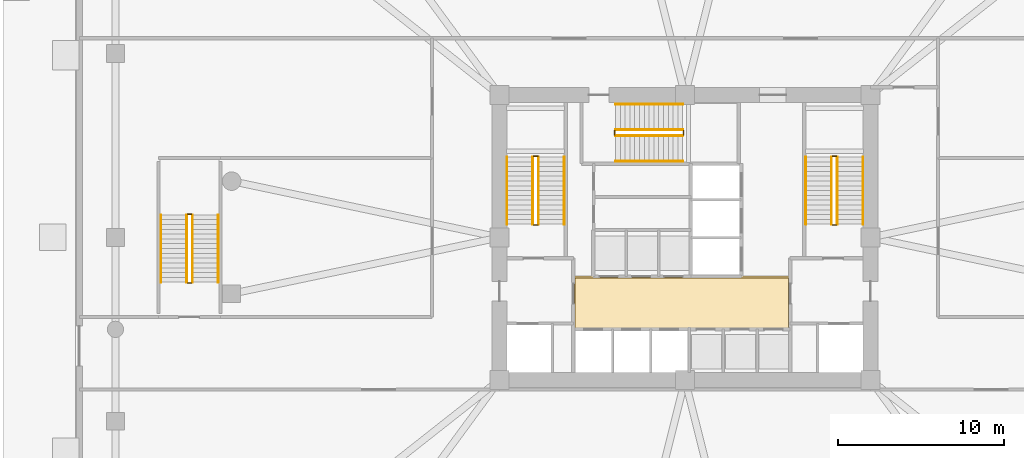
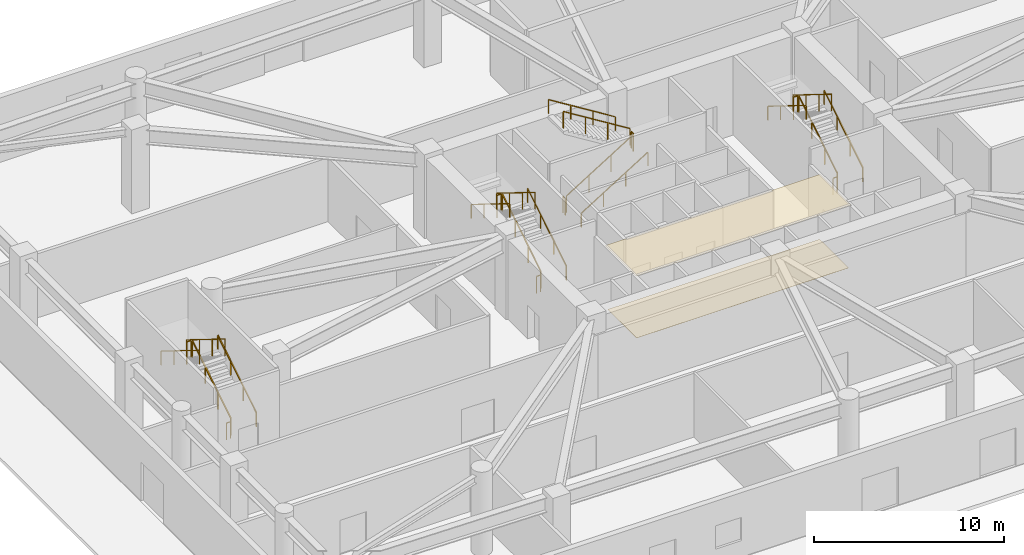
# One storey, part 7 of 9: 24 railings, 2 coverings.
"""IFC4 building model written with IfcOpenShell, lengths in metres."""

from ifc_helpers import new_model, si_unit, derived_unit, direction, frame, origin, origin_2d, place, context, subcontext, project, spatial, polyline, rectangle, outline, extrude, material, layer, layer_set, type_object, element, save


model = new_model("IFC4")

# Units and contexts
model_context = context("Model", 3, precision=1e-05, world=origin(), true_north=direction((0.0, 1.0)))
body_context = subcontext(model_context, "Body", "Model", "MODEL_VIEW")
ifc_project = project(units=[si_unit("LENGTHUNIT", "METRE"), si_unit("AREAUNIT", "SQUARE_METRE"), si_unit("VOLUMEUNIT", "CUBIC_METRE"), si_unit("PLANEANGLEUNIT", "RADIAN"), si_unit("MASSUNIT", "GRAM", prefix="KILO"), derived_unit("THERMALTRANSMITTANCEUNIT", [(si_unit("POWERUNIT", "WATT"), 1), (si_unit("LENGTHUNIT", "METRE"), -2), (si_unit("THERMODYNAMICTEMPERATUREUNIT", "KELVIN"), -1)])], contexts=[model_context])

# Site, building, storey
site_placement = place(None, origin())
site = spatial("IfcSite", under=ifc_project, at=site_placement, CompositionType="ELEMENT")
building_placement = place(site_placement, origin())
building = spatial("IfcBuilding", under=site, at=building_placement, Name="Koralith Skygarden Medical Center", CompositionType="ELEMENT")
storey_placement = place(building_placement, origin())
storey = spatial("IfcBuildingStorey", under=building, at=storey_placement, Name="L00", CompositionType="ELEMENT", Elevation=0.0)

# Coverings
ifc_material_1 = material(Name="Acoustic Mineral Tile")
ifc_layer_1 = layer(ifc_material_1, 0.02001953125)
ifc_layer_set_1 = layer_set([ifc_layer_1], Name="Acoustic Mineral Tile")
covering_type_1 = type_object("IfcCoveringType", Name="Acoustic Hygienic Mineral Ceiling 20", PredefinedType="CEILING", material=ifc_layer_set_1)
covering_1_placement = place(storey_placement, frame((0.0, 0.0, 4.0849609375)))
element("IfcCovering", 1, at=covering_1_placement, inside=storey, type_object=covering_type_1, Name="L00 Core Lobby Acoustic Ceiling", PredefinedType="CEILING", context=body_context, shape_type="SweptSolid", body=[
    extrude(outline(polyline([(30.25, 20.320068359375), (43.35009765625, 20.320068359375), (43.35009765625, 23.56005859375), (30.25, 23.56005859375), (30.25, 20.320068359375)])), origin(), (0.0, 0.0, 1.0), 0.02001953125),
])
ifc_material_2 = material(Name="Medical Terrazzo Flooring")
ifc_layer_2 = layer(ifc_material_2, 0.014892578125)
ifc_layer_set_2 = layer_set([ifc_layer_2], Name="Medical Terrazzo Flooring")
covering_type_2 = type_object("IfcCoveringType", Name="Seamless Antimicrobial Terrazzo Flooring 15", PredefinedType="FLOORING", material=ifc_layer_set_2)
covering_2_placement = place(storey_placement, origin())
element("IfcCovering", 2, at=covering_2_placement, inside=storey, type_object=covering_type_2, Name="L00 Core Lobby Terrazzo Flooring", PredefinedType="FLOORING", context=body_context, shape_type="SweptSolid", body=[
    extrude(outline(polyline([(30.35009765625, 20.419921875), (43.25, 20.419921875), (43.25, 23.4599609375), (30.35009765625, 23.4599609375), (30.35009765625, 20.419921875)])), origin(), (0.0, 0.0, 1.0), 0.014892578125),
])

# Railings
ifc_material_3 = material(Name="Steel ASTM A500 Grade C", Category="steel")
railing_type_1 = type_object("IfcRailingType", Name="Stair Flight Tubular Handrail 920", PredefinedType="HANDRAIL", material=ifc_material_3)
railing_1_placement = place(storey_placement, frame((29.699951171875, 26.699951171875, 0.179931640625)))
element("IfcRailing", 3, at=railing_1_placement, inside=storey, type_object=railing_type_1, Name="L00 ST1 stair handrail 1", PredefinedType="HANDRAIL", context=body_context, shape_type="SweptSolid", body=[
    extrude(rectangle(XDim=0.050048828125, YDim=0.050048828125, at=origin_2d()), frame((0.0, 0.001708984375, 0.89599609375), z_axis=(0.0, 0.849641744969, 0.527360318194), x_axis=(-1.0, 0.0, 0.0)), (0.0, 0.0, 1.0), 4.774658203125),
    extrude(rectangle(XDim=0.0419921875, YDim=0.0419921875, at=origin_2d()), origin(), (0.0, 0.0, 1.0), 0.867919921875),
    extrude(rectangle(XDim=0.0419921875, YDim=0.0419921875, at=origin_2d()), frame((0.0, 1.353271484375, 0.840087890625)), (0.0, 0.0, 1.0), 0.867919921875),
    extrude(rectangle(XDim=0.0419921875, YDim=0.0419921875, at=origin_2d()), frame((0.0, 2.706787109375, 1.679931640625)), (0.0, 0.0, 1.0), 0.867919921875),
    extrude(rectangle(XDim=0.0419921875, YDim=0.0419921875, at=origin_2d()), frame((0.0, 4.06005859375, 2.52001953125)), (0.0, 0.0, 1.0), 0.867919921875),
])
railing_2_placement = place(storey_placement, frame((26.25, 30.760009765625, 2.8798828125)))
element("IfcRailing", 4, at=railing_2_placement, inside=storey, type_object=railing_type_1, Name="L00 ST1 stair handrail 2", PredefinedType="HANDRAIL", context=body_context, shape_type="SweptSolid", body=[
    extrude(rectangle(XDim=0.050048828125, YDim=0.050048828125, at=origin_2d()), frame((0.0, -0.001708984375, 0.89599609375), z_axis=(0.0, -0.849641744969, 0.527360318194), x_axis=(1.0, 0.0, 0.0)), (0.0, 0.0, 1.0), 4.774658203125),
    extrude(rectangle(XDim=0.0419921875, YDim=0.0419921875, at=origin_2d()), origin(), (0.0, 0.0, 1.0), 0.867919921875),
    extrude(rectangle(XDim=0.0419921875, YDim=0.0419921875, at=origin_2d()), frame((0.0, -1.353271484375, 0.840087890625)), (0.0, 0.0, 1.0), 0.867919921875),
    extrude(rectangle(XDim=0.0419921875, YDim=0.0419921875, at=origin_2d()), frame((0.0, -2.706787109375, 1.679931640625)), (0.0, 0.0, 1.0), 0.867919921875),
    extrude(rectangle(XDim=0.0419921875, YDim=0.0419921875, at=origin_2d()), frame((0.0, -4.06005859375, 2.52001953125)), (0.0, 0.0, 1.0), 0.867919921875),
])
railing_3_placement = place(storey_placement, frame((47.75, 26.699951171875, 0.179931640625)))
element("IfcRailing", 5, at=railing_3_placement, inside=storey, type_object=railing_type_1, Name="L00 ST2 stair handrail 1", PredefinedType="HANDRAIL", context=body_context, shape_type="SweptSolid", body=[
    extrude(rectangle(XDim=0.050048828125, YDim=0.050048828125, at=origin_2d()), frame((0.0, 0.001708984375, 0.89599609375), z_axis=(0.0, 0.849641744969, 0.527360318194), x_axis=(-1.0, 0.0, 0.0)), (0.0, 0.0, 1.0), 4.774658203125),
    extrude(rectangle(XDim=0.0419921875, YDim=0.0419921875, at=origin_2d()), origin(), (0.0, 0.0, 1.0), 0.867919921875),
    extrude(rectangle(XDim=0.0419921875, YDim=0.0419921875, at=origin_2d()), frame((0.0, 1.353271484375, 0.840087890625)), (0.0, 0.0, 1.0), 0.867919921875),
    extrude(rectangle(XDim=0.0419921875, YDim=0.0419921875, at=origin_2d()), frame((0.0, 2.706787109375, 1.679931640625)), (0.0, 0.0, 1.0), 0.867919921875),
    extrude(rectangle(XDim=0.0419921875, YDim=0.0419921875, at=origin_2d()), frame((0.0, 4.06005859375, 2.52001953125)), (0.0, 0.0, 1.0), 0.867919921875),
])
railing_4_placement = place(storey_placement, frame((44.300048828125, 30.760009765625, 2.8798828125)))
element("IfcRailing", 6, at=railing_4_placement, inside=storey, type_object=railing_type_1, Name="L00 ST2 stair handrail 2", PredefinedType="HANDRAIL", context=body_context, shape_type="SweptSolid", body=[
    extrude(rectangle(XDim=0.050048828125, YDim=0.050048828125, at=origin_2d()), frame((0.0, -0.001708984375, 0.89599609375), z_axis=(0.0, -0.849641744969, 0.527360318194), x_axis=(1.0, 0.0, 0.0)), (0.0, 0.0, 1.0), 4.774658203125),
    extrude(rectangle(XDim=0.0419921875, YDim=0.0419921875, at=origin_2d()), origin(), (0.0, 0.0, 1.0), 0.867919921875),
    extrude(rectangle(XDim=0.0419921875, YDim=0.0419921875, at=origin_2d()), frame((0.0, -1.353271484375, 0.840087890625)), (0.0, 0.0, 1.0), 0.867919921875),
    extrude(rectangle(XDim=0.0419921875, YDim=0.0419921875, at=origin_2d()), frame((0.0, -2.706787109375, 1.679931640625)), (0.0, 0.0, 1.0), 0.867919921875),
    extrude(rectangle(XDim=0.0419921875, YDim=0.0419921875, at=origin_2d()), frame((0.0, -4.06005859375, 2.52001953125)), (0.0, 0.0, 1.0), 0.867919921875),
])
railing_5_placement = place(storey_placement, frame((32.800048828125, 30.5, 0.179931640625)))
element("IfcRailing", 7, at=railing_5_placement, inside=storey, type_object=railing_type_1, Name="L00 ST3 stair handrail 1", PredefinedType="HANDRAIL", context=body_context, shape_type="SweptSolid", body=[
    extrude(rectangle(XDim=0.050048828125, YDim=0.050048828125, at=origin_2d()), frame((0.001708984375, 0.0, 0.89599609375), z_axis=(0.849641744969, 0.0, 0.527360318194), x_axis=(0.0, 1.0, 0.0)), (0.0, 0.0, 1.0), 4.774658203125),
    extrude(rectangle(XDim=0.0419921875, YDim=0.0419921875, at=origin_2d()), origin(), (0.0, 0.0, 1.0), 0.867919921875),
    extrude(rectangle(XDim=0.0419921875, YDim=0.0419921875, at=origin_2d()), frame((1.353271484375, 0.0, 0.840087890625)), (0.0, 0.0, 1.0), 0.867919921875),
    extrude(rectangle(XDim=0.0419921875, YDim=0.0419921875, at=origin_2d()), frame((2.706787109375, 0.0, 1.679931640625)), (0.0, 0.0, 1.0), 0.867919921875),
    extrude(rectangle(XDim=0.0419921875, YDim=0.0419921875, at=origin_2d()), frame((4.06005859375, 0.0, 2.52001953125)), (0.0, 0.0, 1.0), 0.867919921875),
])
railing_6_placement = place(storey_placement, frame((36.860107421875, 33.949951171875, 2.8798828125)))
element("IfcRailing", 8, at=railing_6_placement, inside=storey, type_object=railing_type_1, Name="L00 ST3 stair handrail 2", PredefinedType="HANDRAIL", context=body_context, shape_type="SweptSolid", body=[
    extrude(rectangle(XDim=0.050048828125, YDim=0.050048828125, at=origin_2d()), frame((-0.001708984375, 0.0, 0.89599609375), z_axis=(-0.849641744969, 0.0, 0.527360318194), x_axis=(0.0, -1.0, 0.0)), (0.0, 0.0, 1.0), 4.774658203125),
    extrude(rectangle(XDim=0.0419921875, YDim=0.0419921875, at=origin_2d()), origin(), (0.0, 0.0, 1.0), 0.867919921875),
    extrude(rectangle(XDim=0.0419921875, YDim=0.0419921875, at=origin_2d()), frame((-1.353271484375, 0.0, 0.840087890625)), (0.0, 0.0, 1.0), 0.867919921875),
    extrude(rectangle(XDim=0.0419921875, YDim=0.0419921875, at=origin_2d()), frame((-2.706787109375, 0.0, 1.679931640625)), (0.0, 0.0, 1.0), 0.867919921875),
    extrude(rectangle(XDim=0.0419921875, YDim=0.0419921875, at=origin_2d()), frame((-4.06005859375, 0.0, 2.52001953125)), (0.0, 0.0, 1.0), 0.867919921875),
])
railing_7_placement = place(storey_placement, frame((8.800048828125, 23.199951171875, 0.179931640625)))
element("IfcRailing", 9, at=railing_7_placement, inside=storey, type_object=railing_type_1, Name="L00 ST4 stair handrail 1", PredefinedType="HANDRAIL", context=body_context, shape_type="SweptSolid", body=[
    extrude(rectangle(XDim=0.050048828125, YDim=0.050048828125, at=origin_2d()), frame((0.0, 0.001708984375, 0.89599609375), z_axis=(0.0, 0.849641744969, 0.527360318194), x_axis=(-1.0, 0.0, 0.0)), (0.0, 0.0, 1.0), 4.774658203125),
    extrude(rectangle(XDim=0.0419921875, YDim=0.0419921875, at=origin_2d()), origin(), (0.0, 0.0, 1.0), 0.867919921875),
    extrude(rectangle(XDim=0.0419921875, YDim=0.0419921875, at=origin_2d()), frame((0.0, 1.353271484375, 0.840087890625)), (0.0, 0.0, 1.0), 0.867919921875),
    extrude(rectangle(XDim=0.0419921875, YDim=0.0419921875, at=origin_2d()), frame((0.0, 2.706787109375, 1.679931640625)), (0.0, 0.0, 1.0), 0.867919921875),
    extrude(rectangle(XDim=0.0419921875, YDim=0.0419921875, at=origin_2d()), frame((0.0, 4.06005859375, 2.52001953125)), (0.0, 0.0, 1.0), 0.867919921875),
])
railing_8_placement = place(storey_placement, frame((5.35009765625, 27.260009765625, 2.8798828125)))
element("IfcRailing", 10, at=railing_8_placement, inside=storey, type_object=railing_type_1, Name="L00 ST4 stair handrail 2", PredefinedType="HANDRAIL", context=body_context, shape_type="SweptSolid", body=[
    extrude(rectangle(XDim=0.050048828125, YDim=0.050048828125, at=origin_2d()), frame((0.0, -0.001708984375, 0.89599609375), z_axis=(0.0, -0.849641744969, 0.527360318194), x_axis=(1.0, 0.0, 0.0)), (0.0, 0.0, 1.0), 4.774658203125),
    extrude(rectangle(XDim=0.0419921875, YDim=0.0419921875, at=origin_2d()), origin(), (0.0, 0.0, 1.0), 0.867919921875),
    extrude(rectangle(XDim=0.0419921875, YDim=0.0419921875, at=origin_2d()), frame((0.0, -1.353271484375, 0.840087890625)), (0.0, 0.0, 1.0), 0.867919921875),
    extrude(rectangle(XDim=0.0419921875, YDim=0.0419921875, at=origin_2d()), frame((0.0, -2.706787109375, 1.679931640625)), (0.0, 0.0, 1.0), 0.867919921875),
    extrude(rectangle(XDim=0.0419921875, YDim=0.0419921875, at=origin_2d()), frame((0.0, -4.06005859375, 2.52001953125)), (0.0, 0.0, 1.0), 0.867919921875),
])
railing_type_2 = type_object("IfcRailingType", Name="Stair Well Safety Guardrail 1100", PredefinedType="GUARDRAIL", material=ifc_material_3)
railing_9_placement = place(storey_placement, frame((28.14990234375, 26.699951171875, 0.179931640625)))
element("IfcRailing", 11, at=railing_9_placement, inside=storey, type_object=railing_type_2, Name="L00 ST1 stair guard 1", PredefinedType="GUARDRAIL", context=body_context, shape_type="SweptSolid", body=[
    extrude(rectangle(XDim=0.050048828125, YDim=0.050048828125, at=origin_2d()), frame((0.0, 0.001708984375, 1.076171875), z_axis=(0.0, 0.849641744969, 0.527360318194), x_axis=(-1.0, 0.0, 0.0)), (0.0, 0.0, 1.0), 4.774658203125),
    extrude(rectangle(XDim=0.0419921875, YDim=0.0419921875, at=origin_2d()), origin(), (0.0, 0.0, 1.0), 1.048095703125),
    extrude(rectangle(XDim=0.0419921875, YDim=0.0419921875, at=origin_2d()), frame((0.0, 1.353271484375, 0.840087890625)), (0.0, 0.0, 1.0), 1.048095703125),
    extrude(rectangle(XDim=0.0419921875, YDim=0.0419921875, at=origin_2d()), frame((0.0, 2.706787109375, 1.679931640625)), (0.0, 0.0, 1.0), 1.048095703125),
    extrude(rectangle(XDim=0.0419921875, YDim=0.0419921875, at=origin_2d()), frame((0.0, 4.06005859375, 2.52001953125)), (0.0, 0.0, 1.0), 1.048095703125),
])
railing_10_placement = place(storey_placement, frame((28.10009765625, 30.81005859375, 2.699951171875)))
element("IfcRailing", 12, at=railing_10_placement, inside=storey, type_object=railing_type_2, Name="L00 ST1 stair guard 2", PredefinedType="GUARDRAIL", context=body_context, shape_type="SweptSolid", body=[
    extrude(rectangle(XDim=0.050048828125, YDim=0.050048828125, at=origin_2d()), frame((-0.001953125, 0.0, 1.0751953125), z_axis=(-1.0, 0.0, 0.0), x_axis=(0.0, -1.0, 0.0)), (0.0, 0.0, 1.0), 0.24609375),
    extrude(rectangle(XDim=0.0419921875, YDim=0.0419921875, at=origin_2d()), origin(), (0.0, 0.0, 1.0), 1.048095703125),
    extrude(rectangle(XDim=0.0419921875, YDim=0.0419921875, at=origin_2d()), frame((-0.25, 0.0, 0.0)), (0.0, 0.0, 1.0), 1.048095703125),
])
railing_11_placement = place(storey_placement, frame((27.800048828125, 30.760009765625, 2.8798828125)))
element("IfcRailing", 13, at=railing_11_placement, inside=storey, type_object=railing_type_2, Name="L00 ST1 stair guard 3", PredefinedType="GUARDRAIL", context=body_context, shape_type="SweptSolid", body=[
    extrude(rectangle(XDim=0.050048828125, YDim=0.050048828125, at=origin_2d()), frame((0.0, -0.001708984375, 1.076171875), z_axis=(0.0, -0.849641744969, 0.527360318194), x_axis=(1.0, 0.0, 0.0)), (0.0, 0.0, 1.0), 4.774658203125),
    extrude(rectangle(XDim=0.0419921875, YDim=0.0419921875, at=origin_2d()), origin(), (0.0, 0.0, 1.0), 1.048095703125),
    extrude(rectangle(XDim=0.0419921875, YDim=0.0419921875, at=origin_2d()), frame((0.0, -1.353271484375, 0.840087890625)), (0.0, 0.0, 1.0), 1.048095703125),
    extrude(rectangle(XDim=0.0419921875, YDim=0.0419921875, at=origin_2d()), frame((0.0, -2.706787109375, 1.679931640625)), (0.0, 0.0, 1.0), 1.048095703125),
    extrude(rectangle(XDim=0.0419921875, YDim=0.0419921875, at=origin_2d()), frame((0.0, -4.06005859375, 2.52001953125)), (0.0, 0.0, 1.0), 1.048095703125),
])
railing_12_placement = place(storey_placement, frame((28.10009765625, 26.64990234375, 0.0)))
element("IfcRailing", 14, at=railing_12_placement, inside=storey, type_object=railing_type_2, Name="L00 ST1 stair guard 4", PredefinedType="GUARDRAIL", context=body_context, shape_type="SweptSolid", body=[
    extrude(rectangle(XDim=0.050048828125, YDim=0.050048828125, at=origin_2d()), frame((-0.001953125, 0.0, 1.0751953125), z_axis=(-1.0, 0.0, 0.0), x_axis=(0.0, -1.0, 0.0)), (0.0, 0.0, 1.0), 0.24609375),
    extrude(rectangle(XDim=0.0419921875, YDim=0.0419921875, at=origin_2d()), origin(), (0.0, 0.0, 1.0), 1.048095703125),
    extrude(rectangle(XDim=0.0419921875, YDim=0.0419921875, at=origin_2d()), frame((-0.25, 0.0, 0.0)), (0.0, 0.0, 1.0), 1.048095703125),
])
railing_13_placement = place(storey_placement, frame((46.199951171875, 26.699951171875, 0.179931640625)))
element("IfcRailing", 15, at=railing_13_placement, inside=storey, type_object=railing_type_2, Name="L00 ST2 stair guard 1", PredefinedType="GUARDRAIL", context=body_context, shape_type="SweptSolid", body=[
    extrude(rectangle(XDim=0.050048828125, YDim=0.050048828125, at=origin_2d()), frame((0.0, 0.001708984375, 1.076171875), z_axis=(0.0, 0.849641744969, 0.527360318194), x_axis=(-1.0, 0.0, 0.0)), (0.0, 0.0, 1.0), 4.774658203125),
    extrude(rectangle(XDim=0.0419921875, YDim=0.0419921875, at=origin_2d()), origin(), (0.0, 0.0, 1.0), 1.048095703125),
    extrude(rectangle(XDim=0.0419921875, YDim=0.0419921875, at=origin_2d()), frame((0.0, 1.353271484375, 0.840087890625)), (0.0, 0.0, 1.0), 1.048095703125),
    extrude(rectangle(XDim=0.0419921875, YDim=0.0419921875, at=origin_2d()), frame((0.0, 2.706787109375, 1.679931640625)), (0.0, 0.0, 1.0), 1.048095703125),
    extrude(rectangle(XDim=0.0419921875, YDim=0.0419921875, at=origin_2d()), frame((0.0, 4.06005859375, 2.52001953125)), (0.0, 0.0, 1.0), 1.048095703125),
])
railing_14_placement = place(storey_placement, frame((46.14990234375, 30.81005859375, 2.699951171875)))
element("IfcRailing", 16, at=railing_14_placement, inside=storey, type_object=railing_type_2, Name="L00 ST2 stair guard 2", PredefinedType="GUARDRAIL", context=body_context, shape_type="SweptSolid", body=[
    extrude(rectangle(XDim=0.050048828125, YDim=0.050048828125, at=origin_2d()), frame((-0.001953125, 0.0, 1.0751953125), z_axis=(-1.0, 0.0, 0.0), x_axis=(0.0, -1.0, 0.0)), (0.0, 0.0, 1.0), 0.24609375),
    extrude(rectangle(XDim=0.0419921875, YDim=0.0419921875, at=origin_2d()), origin(), (0.0, 0.0, 1.0), 1.048095703125),
    extrude(rectangle(XDim=0.0419921875, YDim=0.0419921875, at=origin_2d()), frame((-0.25, 0.0, 0.0)), (0.0, 0.0, 1.0), 1.048095703125),
])
railing_15_placement = place(storey_placement, frame((45.85009765625, 30.760009765625, 2.8798828125)))
element("IfcRailing", 17, at=railing_15_placement, inside=storey, type_object=railing_type_2, Name="L00 ST2 stair guard 3", PredefinedType="GUARDRAIL", context=body_context, shape_type="SweptSolid", body=[
    extrude(rectangle(XDim=0.050048828125, YDim=0.050048828125, at=origin_2d()), frame((0.0, -0.001708984375, 1.076171875), z_axis=(0.0, -0.849641744969, 0.527360318194), x_axis=(1.0, 0.0, 0.0)), (0.0, 0.0, 1.0), 4.774658203125),
    extrude(rectangle(XDim=0.0419921875, YDim=0.0419921875, at=origin_2d()), origin(), (0.0, 0.0, 1.0), 1.048095703125),
    extrude(rectangle(XDim=0.0419921875, YDim=0.0419921875, at=origin_2d()), frame((0.0, -1.353271484375, 0.840087890625)), (0.0, 0.0, 1.0), 1.048095703125),
    extrude(rectangle(XDim=0.0419921875, YDim=0.0419921875, at=origin_2d()), frame((0.0, -2.706787109375, 1.679931640625)), (0.0, 0.0, 1.0), 1.048095703125),
    extrude(rectangle(XDim=0.0419921875, YDim=0.0419921875, at=origin_2d()), frame((0.0, -4.06005859375, 2.52001953125)), (0.0, 0.0, 1.0), 1.048095703125),
])
railing_16_placement = place(storey_placement, frame((46.14990234375, 26.64990234375, 0.0)))
element("IfcRailing", 18, at=railing_16_placement, inside=storey, type_object=railing_type_2, Name="L00 ST2 stair guard 4", PredefinedType="GUARDRAIL", context=body_context, shape_type="SweptSolid", body=[
    extrude(rectangle(XDim=0.050048828125, YDim=0.050048828125, at=origin_2d()), frame((-0.001953125, 0.0, 1.0751953125), z_axis=(-1.0, 0.0, 0.0), x_axis=(0.0, -1.0, 0.0)), (0.0, 0.0, 1.0), 0.24609375),
    extrude(rectangle(XDim=0.0419921875, YDim=0.0419921875, at=origin_2d()), origin(), (0.0, 0.0, 1.0), 1.048095703125),
    extrude(rectangle(XDim=0.0419921875, YDim=0.0419921875, at=origin_2d()), frame((-0.25, 0.0, 0.0)), (0.0, 0.0, 1.0), 1.048095703125),
])
railing_17_placement = place(storey_placement, frame((32.800048828125, 32.050048828125, 0.179931640625)))
element("IfcRailing", 19, at=railing_17_placement, inside=storey, type_object=railing_type_2, Name="L00 ST3 stair guard 1", PredefinedType="GUARDRAIL", context=body_context, shape_type="SweptSolid", body=[
    extrude(rectangle(XDim=0.050048828125, YDim=0.050048828125, at=origin_2d()), frame((0.001708984375, 0.0, 1.076171875), z_axis=(0.849641744969, 0.0, 0.527360318194), x_axis=(0.0, 1.0, 0.0)), (0.0, 0.0, 1.0), 4.774658203125),
    extrude(rectangle(XDim=0.0419921875, YDim=0.0419921875, at=origin_2d()), origin(), (0.0, 0.0, 1.0), 1.048095703125),
    extrude(rectangle(XDim=0.0419921875, YDim=0.0419921875, at=origin_2d()), frame((1.353271484375, 0.0, 0.840087890625)), (0.0, 0.0, 1.0), 1.048095703125),
    extrude(rectangle(XDim=0.0419921875, YDim=0.0419921875, at=origin_2d()), frame((2.706787109375, 0.0, 1.679931640625)), (0.0, 0.0, 1.0), 1.048095703125),
    extrude(rectangle(XDim=0.0419921875, YDim=0.0419921875, at=origin_2d()), frame((4.06005859375, 0.0, 2.52001953125)), (0.0, 0.0, 1.0), 1.048095703125),
])
railing_18_placement = place(storey_placement, frame((36.909912109375, 32.10009765625, 2.699951171875)))
element("IfcRailing", 20, at=railing_18_placement, inside=storey, type_object=railing_type_2, Name="L00 ST3 stair guard 2", PredefinedType="GUARDRAIL", context=body_context, shape_type="SweptSolid", body=[
    extrude(rectangle(XDim=0.050048828125, YDim=0.050048828125, at=origin_2d()), frame((0.0, 0.001953125, 1.0751953125), z_axis=(0.0, 1.0, 0.0), x_axis=(-1.0, 0.0, 0.0)), (0.0, 0.0, 1.0), 0.24609375),
    extrude(rectangle(XDim=0.0419921875, YDim=0.0419921875, at=origin_2d()), origin(), (0.0, 0.0, 1.0), 1.048095703125),
    extrude(rectangle(XDim=0.0419921875, YDim=0.0419921875, at=origin_2d()), frame((0.0, 0.25, 0.0)), (0.0, 0.0, 1.0), 1.048095703125),
])
railing_19_placement = place(storey_placement, frame((36.860107421875, 32.39990234375, 2.8798828125)))
element("IfcRailing", 21, at=railing_19_placement, inside=storey, type_object=railing_type_2, Name="L00 ST3 stair guard 3", PredefinedType="GUARDRAIL", context=body_context, shape_type="SweptSolid", body=[
    extrude(rectangle(XDim=0.050048828125, YDim=0.050048828125, at=origin_2d()), frame((-0.001708984375, 0.0, 1.076171875), z_axis=(-0.849641744969, 0.0, 0.527360318194), x_axis=(0.0, -1.0, 0.0)), (0.0, 0.0, 1.0), 4.774658203125),
    extrude(rectangle(XDim=0.0419921875, YDim=0.0419921875, at=origin_2d()), origin(), (0.0, 0.0, 1.0), 1.048095703125),
    extrude(rectangle(XDim=0.0419921875, YDim=0.0419921875, at=origin_2d()), frame((-1.353271484375, 0.0, 0.840087890625)), (0.0, 0.0, 1.0), 1.048095703125),
    extrude(rectangle(XDim=0.0419921875, YDim=0.0419921875, at=origin_2d()), frame((-2.706787109375, 0.0, 1.679931640625)), (0.0, 0.0, 1.0), 1.048095703125),
    extrude(rectangle(XDim=0.0419921875, YDim=0.0419921875, at=origin_2d()), frame((-4.06005859375, 0.0, 2.52001953125)), (0.0, 0.0, 1.0), 1.048095703125),
])
railing_20_placement = place(storey_placement, frame((32.75, 32.10009765625, 0.0)))
element("IfcRailing", 22, at=railing_20_placement, inside=storey, type_object=railing_type_2, Name="L00 ST3 stair guard 4", PredefinedType="GUARDRAIL", context=body_context, shape_type="SweptSolid", body=[
    extrude(rectangle(XDim=0.050048828125, YDim=0.050048828125, at=origin_2d()), frame((0.0, 0.001953125, 1.0751953125), z_axis=(0.0, 1.0, 0.0), x_axis=(-1.0, 0.0, 0.0)), (0.0, 0.0, 1.0), 0.24609375),
    extrude(rectangle(XDim=0.0419921875, YDim=0.0419921875, at=origin_2d()), origin(), (0.0, 0.0, 1.0), 1.048095703125),
    extrude(rectangle(XDim=0.0419921875, YDim=0.0419921875, at=origin_2d()), frame((0.0, 0.25, 0.0)), (0.0, 0.0, 1.0), 1.048095703125),
])
railing_21_placement = place(storey_placement, frame((7.25, 23.199951171875, 0.179931640625)))
element("IfcRailing", 23, at=railing_21_placement, inside=storey, type_object=railing_type_2, Name="L00 ST4 stair guard 1", PredefinedType="GUARDRAIL", context=body_context, shape_type="SweptSolid", body=[
    extrude(rectangle(XDim=0.050048828125, YDim=0.050048828125, at=origin_2d()), frame((0.0, 0.001708984375, 1.076171875), z_axis=(0.0, 0.849641744969, 0.527360318194), x_axis=(-1.0, 0.0, 0.0)), (0.0, 0.0, 1.0), 4.774658203125),
    extrude(rectangle(XDim=0.0419921875, YDim=0.0419921875, at=origin_2d()), origin(), (0.0, 0.0, 1.0), 1.048095703125),
    extrude(rectangle(XDim=0.0419921875, YDim=0.0419921875, at=origin_2d()), frame((0.0, 1.353271484375, 0.840087890625)), (0.0, 0.0, 1.0), 1.048095703125),
    extrude(rectangle(XDim=0.0419921875, YDim=0.0419921875, at=origin_2d()), frame((0.0, 2.706787109375, 1.679931640625)), (0.0, 0.0, 1.0), 1.048095703125),
    extrude(rectangle(XDim=0.0419921875, YDim=0.0419921875, at=origin_2d()), frame((0.0, 4.06005859375, 2.52001953125)), (0.0, 0.0, 1.0), 1.048095703125),
])
railing_22_placement = place(storey_placement, frame((7.199951171875, 27.31005859375, 2.699951171875)))
element("IfcRailing", 24, at=railing_22_placement, inside=storey, type_object=railing_type_2, Name="L00 ST4 stair guard 2", PredefinedType="GUARDRAIL", context=body_context, shape_type="SweptSolid", body=[
    extrude(rectangle(XDim=0.050048828125, YDim=0.050048828125, at=origin_2d()), frame((-0.001953125, 0.0, 1.0751953125), z_axis=(-1.0, 0.0, 0.0), x_axis=(0.0, -1.0, 0.0)), (0.0, 0.0, 1.0), 0.24609375),
    extrude(rectangle(XDim=0.0419921875, YDim=0.0419921875, at=origin_2d()), origin(), (0.0, 0.0, 1.0), 1.048095703125),
    extrude(rectangle(XDim=0.0419921875, YDim=0.0419921875, at=origin_2d()), frame((-0.25, 0.0, 0.0)), (0.0, 0.0, 1.0), 1.048095703125),
])
railing_23_placement = place(storey_placement, frame((6.89990234375, 27.260009765625, 2.8798828125)))
element("IfcRailing", 25, at=railing_23_placement, inside=storey, type_object=railing_type_2, Name="L00 ST4 stair guard 3", PredefinedType="GUARDRAIL", context=body_context, shape_type="SweptSolid", body=[
    extrude(rectangle(XDim=0.050048828125, YDim=0.050048828125, at=origin_2d()), frame((0.0, -0.001708984375, 1.076171875), z_axis=(0.0, -0.849641744969, 0.527360318194), x_axis=(1.0, 0.0, 0.0)), (0.0, 0.0, 1.0), 4.774658203125),
    extrude(rectangle(XDim=0.0419921875, YDim=0.0419921875, at=origin_2d()), origin(), (0.0, 0.0, 1.0), 1.048095703125),
    extrude(rectangle(XDim=0.0419921875, YDim=0.0419921875, at=origin_2d()), frame((0.0, -1.353271484375, 0.840087890625)), (0.0, 0.0, 1.0), 1.048095703125),
    extrude(rectangle(XDim=0.0419921875, YDim=0.0419921875, at=origin_2d()), frame((0.0, -2.706787109375, 1.679931640625)), (0.0, 0.0, 1.0), 1.048095703125),
    extrude(rectangle(XDim=0.0419921875, YDim=0.0419921875, at=origin_2d()), frame((0.0, -4.06005859375, 2.52001953125)), (0.0, 0.0, 1.0), 1.048095703125),
])
railing_24_placement = place(storey_placement, frame((7.199951171875, 23.14990234375, 0.0)))
element("IfcRailing", 26, at=railing_24_placement, inside=storey, type_object=railing_type_2, Name="L00 ST4 stair guard 4", PredefinedType="GUARDRAIL", context=body_context, shape_type="SweptSolid", body=[
    extrude(rectangle(XDim=0.050048828125, YDim=0.050048828125, at=origin_2d()), frame((-0.001953125, 0.0, 1.0751953125), z_axis=(-1.0, 0.0, 0.0), x_axis=(0.0, -1.0, 0.0)), (0.0, 0.0, 1.0), 0.24609375),
    extrude(rectangle(XDim=0.0419921875, YDim=0.0419921875, at=origin_2d()), origin(), (0.0, 0.0, 1.0), 1.048095703125),
    extrude(rectangle(XDim=0.0419921875, YDim=0.0419921875, at=origin_2d()), frame((-0.25, 0.0, 0.0)), (0.0, 0.0, 1.0), 1.048095703125),
])

save(model, "model.ifc")
